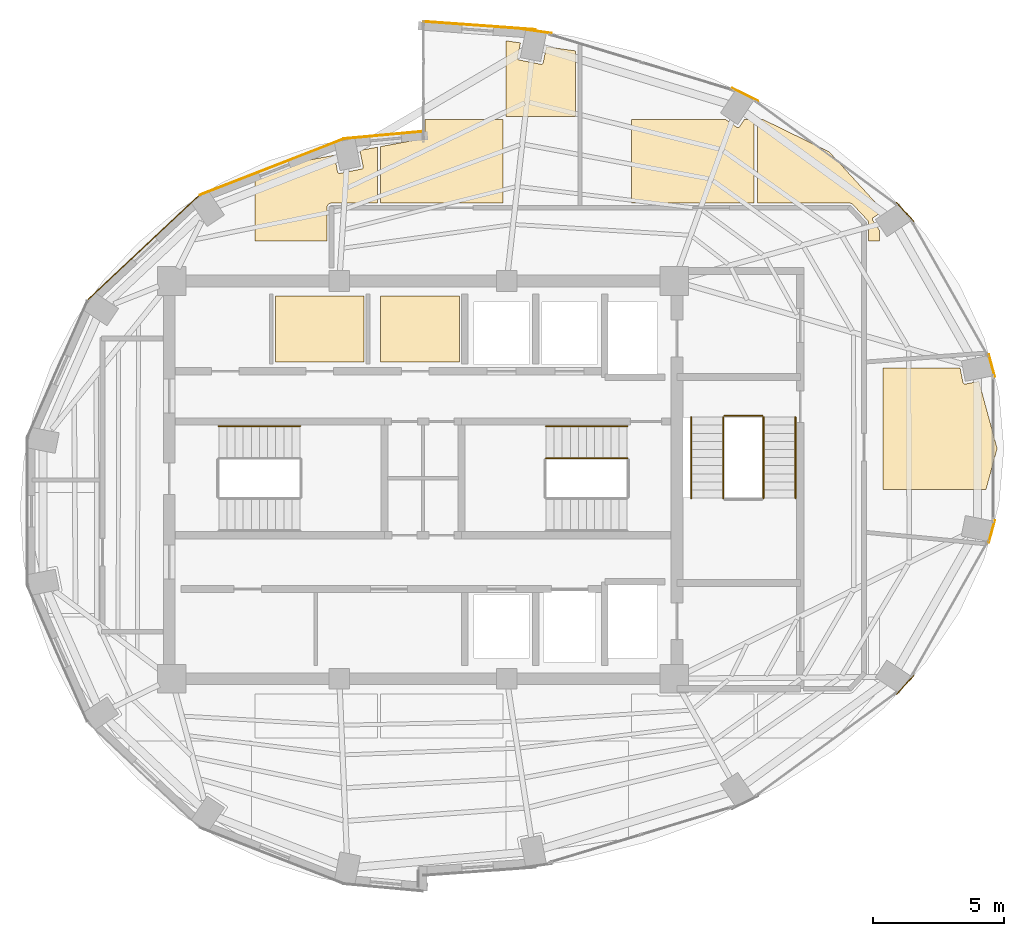
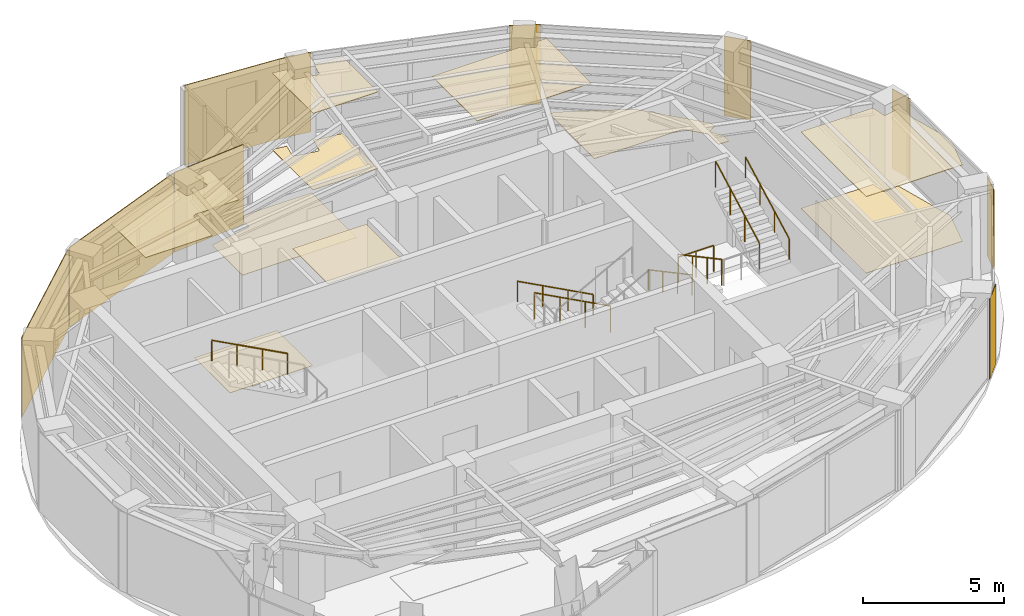
# One storey, part 15 of 15: 20 coverings, 8 railings.
"""IFC4 building model written with IfcOpenShell, lengths in metres."""

from ifc_helpers import new_model, si_unit, direction, frame, origin, origin_2d, place, context, subcontext, project, spatial, polyline, rectangle, circle, outline, extrude, material, layer, layer_set, type_object, element, save


model = new_model("IFC4")

# Units and contexts
model_context = context("Model", 3, precision=1e-05, world=origin(), true_north=direction((0.0, 1.0)))
body_context = subcontext(model_context, "Body", "Model", "MODEL_VIEW")
ifc_project = project(units=[si_unit("LENGTHUNIT", "METRE"), si_unit("AREAUNIT", "SQUARE_METRE"), si_unit("VOLUMEUNIT", "CUBIC_METRE"), si_unit("PLANEANGLEUNIT", "RADIAN"), si_unit("MASSUNIT", "GRAM", prefix="KILO")], contexts=[model_context])

# Site, building, storey
site_placement = place(None, origin())
site = spatial("IfcSite", under=ifc_project, at=site_placement, CompositionType="ELEMENT")
building_placement = place(site_placement, origin())
building = spatial("IfcBuilding", under=site, at=building_placement, Name="Lazwardi Medical Tower", CompositionType="ELEMENT")
storey_placement = place(building_placement, frame((0.0, 0.0, 280.56005859375)))
storey = spatial("IfcBuildingStorey", under=building, at=storey_placement, Name="L73", CompositionType="ELEMENT", Elevation=280.56005859375)

# Coverings
ifc_material_1 = material(Name="Anodised bronze aluminium cassette cladding", Category="aluminium")
ifc_layer_1 = layer(ifc_material_1, 0.030029296875)
ifc_layer_set_1 = layer_set([ifc_layer_1], Name="Anodised bronze aluminium cassette cladding")
covering_type_1 = type_object("IfcCoveringType", Name="COV-CLD-BRZ", PredefinedType="CLADDING", material=ifc_layer_set_1)
covering_1_placement = place(storey_placement, frame((54.42529296875, 20.165283203125, 0.0), z_axis=(0.0, 0.0, 1.0), x_axis=(0.673240970654, 0.739423150458, 0.0)))
element("IfcCovering", 1, at=covering_1_placement, inside=storey, type_object=covering_type_1, Name="L73 Mega-column bronze cassette cover M03", PredefinedType="CLADDING", context=body_context, shape_type="SweptSolid", body=[
    extrude(rectangle(XDim=0.98974609375, YDim=0.030029296875, at=origin_2d()), origin(), (0.0, 0.0, 1.0), 3.447998046875),
])
for number, where, z_axis, x_axis, name in (
    (2, (57.734130859375, 26.02734375, 0.0), (0.0, 0.0, 1.0), (0.261641748247, 0.96516506131, 0.0), "L73 Mega-column bronze cassette cover M04"),
    (3, (57.734130859375, 32.37255859375, 0.0), (0.0, 0.0, 1.0), (-0.261641748247, 0.96516506131, 0.0), "L73 Mega-column bronze cassette cover M05"),
):
    element("IfcCovering", number, at=place(storey_placement, frame(where, z_axis=z_axis, x_axis=x_axis)), inside=storey, type_object=covering_type_1, Name=name, PredefinedType="CLADDING", context=body_context, shape_type="SweptSolid", body=[
        extrude(rectangle(XDim=0.894287109375, YDim=0.030029296875, at=origin_2d()), origin(), (0.0, 0.0, 1.0), 3.447998046875),
    ])
covering_2_placement = place(storey_placement, frame((54.42529296875, 38.234619140625, 0.0), z_axis=(0.0, 0.0, 1.0), x_axis=(-0.673240970654, 0.739423150458, 0.0)))
element("IfcCovering", 4, at=covering_2_placement, inside=storey, type_object=covering_type_1, Name="L73 Mega-column bronze cassette cover M06", PredefinedType="CLADDING", context=body_context, shape_type="SweptSolid", body=[
    extrude(rectangle(XDim=0.98974609375, YDim=0.030029296875, at=origin_2d()), origin(), (0.0, 0.0, 1.0), 3.447998046875),
])
covering_3_placement = place(storey_placement, frame((48.311279296875, 42.721435546875, 0.0), z_axis=(0.0, 0.0, 1.0), x_axis=(-0.897840141691, 0.440321564278, 0.0)))
element("IfcCovering", 5, at=covering_3_placement, inside=storey, type_object=covering_type_1, Name="L73 Mega-column bronze cassette cover M07", PredefinedType="CLADDING", context=body_context, shape_type="SweptSolid", body=[
    extrude(rectangle(XDim=1.110595703125, YDim=0.030029296875, at=origin_2d()), origin(), (0.0, 0.0, 1.0), 3.447998046875),
])
covering_4_placement = place(storey_placement, frame((40.3232421875, 45.1494140625, 0.0), z_axis=(0.0, 0.0, 1.0), x_axis=(-0.989512431533, 0.144447733943, 0.0)))
element("IfcCovering", 6, at=covering_4_placement, inside=storey, type_object=covering_type_1, Name="L73 Mega-column bronze cassette cover M08", PredefinedType="CLADDING", context=body_context, shape_type="SweptSolid", body=[
    extrude(rectangle(XDim=1.188720703125, YDim=0.030029296875, at=origin_2d()), origin(), (0.0, 0.0, 1.0), 3.447998046875),
])
covering_5_placement = place(storey_placement, frame((25.31201171875, 36.870361328125, 0.0), z_axis=(0.0, 0.0, 1.0), x_axis=(-0.728254960063, -0.685306291481, 0.0)))
element("IfcCovering", 7, at=covering_5_placement, inside=storey, type_object=covering_type_1, Name="L73 West drum ceramic/bronze cladding", PredefinedType="CLADDING", context=body_context, shape_type="SweptSolid", body=[
    extrude(rectangle(XDim=5.78125, YDim=0.030029296875, at=origin_2d()), origin(), (0.0, 0.0, 1.0), 3.447998046875),
])
ifc_material_2 = material(Name="Turquoise glazed ceramic tilework cladding", Category="masonry")
ifc_layer_2 = layer(ifc_material_2, 0.034912109375)
ifc_layer_set_2 = layer_set([ifc_layer_2], Name="Turquoise glazed ceramic tilework cladding")
covering_type_2 = type_object("IfcCoveringType", Name="COV-CLD-TRQ", PredefinedType="CLADDING", material=ifc_layer_set_2)
covering_6_placement = place(storey_placement, frame((30.216064453125, 39.956787109375, 0.0), z_axis=(0.0, 0.0, 1.0), x_axis=(-0.931720388261, -0.363176428337, 0.0)))
element("IfcCovering", 8, at=covering_6_placement, inside=storey, type_object=covering_type_2, Name="L73 West drum ceramic/bronze cladding", PredefinedType="CLADDING", context=body_context, shape_type="SweptSolid", body=[
    extrude(rectangle(XDim=5.904052734375, YDim=0.034912109375, at=origin_2d()), origin(), (0.0, 0.0, 1.0), 3.447998046875),
])
covering_7_placement = place(storey_placement, frame((38.16259765625, 45.360107421875, 0.0), z_axis=(0.0, 0.0, 1.0), x_axis=(-0.997409491337, 0.071932653157, 0.0)))
element("IfcCovering", 9, at=covering_7_placement, inside=storey, type_object=covering_type_2, Name="L73 Turquoise glazed ceramic tilework cladding", PredefinedType="CLADDING", context=body_context, shape_type="SweptSolid", body=[
    extrude(rectangle(XDim=4.31103515625, YDim=0.034912109375, at=origin_2d()), origin(), (0.0, 0.0, 1.0), 3.447998046875),
])
covering_8_placement = place(storey_placement, frame((34.4970703125, 41.177001953125, 0.0), z_axis=(0.0, 0.0, 1.0), x_axis=(-0.995733560537, -0.092275004312, 0.0)))
element("IfcCovering", 10, at=covering_8_placement, inside=storey, type_object=covering_type_2, Name="L73 Turquoise glazed ceramic tilework cladding", PredefinedType="CLADDING", context=body_context, shape_type="SweptSolid", body=[
    extrude(rectangle(XDim=2.985595703125, YDim=0.034912109375, at=origin_2d()), origin(), (0.0, 0.0, 1.0), 3.447998046875),
])
ifc_material_3 = material(Name="Acoustic mineral fibre tile")
ifc_layer_3 = layer(ifc_material_3, 0.02490234375)
ifc_layer_set_3 = layer_set([ifc_layer_3], Name="Acoustic mineral fibre tile")
covering_type_3 = type_object("IfcCoveringType", Name="COV-CLG-01", PredefinedType="CEILING", material=ifc_layer_set_3)
covering_9_placement = place(storey_placement, frame((0.0, 0.0, 3.302978515625)))
element("IfcCovering", 11, at=covering_9_placement, inside=storey, type_object=covering_type_3, Name="L73 Clinical Acoustic Ceiling 3", PredefinedType="CEILING", context=body_context, shape_type="SweptSolid", body=[
    extrude(outline(polyline([(34.251708984375, 40.71142578125), (33.591552734375, 40.587890625), (33.71435546875, 39.971435546875), (33.71533203125, 39.963623046875), (33.7158203125, 39.955810546875), (33.71533203125, 39.947998046875), (33.71435546875, 39.940185546875), (33.71240234375, 39.9326171875), (33.709716796875, 39.92529296875), (33.706298828125, 39.918212890625), (33.702392578125, 39.911376953125), (33.697509765625, 39.905029296875), (33.6923828125, 39.899169921875), (33.6865234375, 39.89404296875), (33.68017578125, 39.889404296875), (33.673583984375, 39.88525390625), (33.66650390625, 39.8818359375), (33.658935546875, 39.879150390625), (33.6513671875, 39.877197265625), (32.82763671875, 39.71337890625), (32.81982421875, 39.71240234375), (32.81201171875, 39.7119140625), (32.80419921875, 39.71240234375), (32.79638671875, 39.71337890625), (32.788818359375, 39.71533203125), (32.781494140625, 39.718017578125), (32.7744140625, 39.72119140625), (32.767578125, 39.725341796875), (32.76123046875, 39.72998046875), (32.75537109375, 39.7353515625), (32.750244140625, 39.7412109375), (32.74560546875, 39.74755859375), (32.741455078125, 39.754150390625), (32.738037109375, 39.76123046875), (32.7353515625, 39.768798828125), (32.7333984375, 39.7763671875), (32.608642578125, 40.40380859375), (30.205322265625, 39.9541015625), (29.57177734375, 39.555908203125), (29.57177734375, 37.136474609375), (32.324951171875, 37.136474609375), (32.324951171875, 38.39990234375), (32.3251953125, 38.404296875), (32.32568359375, 38.41357421875), (32.326416015625, 38.42041015625), (32.32763671875, 38.4296875), (32.3291015625, 38.43798828125), (32.33154296875, 38.447265625), (32.33349609375, 38.4541015625), (32.336669921875, 38.462890625), (32.340087890625, 38.470703125), (32.343994140625, 38.479248046875), (32.34765625, 38.486083984375), (32.352294921875, 38.493896484375), (32.35693359375, 38.500732421875), (32.362548828125, 38.50830078125), (32.3671875, 38.513916015625), (32.373291015625, 38.520751953125), (32.37939453125, 38.526611328125), (32.38623046875, 38.532958984375), (32.391845703125, 38.53759765625), (32.3994140625, 38.543212890625), (32.406005859375, 38.547607421875), (32.4140625, 38.552490234375), (32.4208984375, 38.555908203125), (32.42919921875, 38.56005859375), (32.43701171875, 38.563232421875), (32.44580078125, 38.56640625), (32.452880859375, 38.568603515625), (32.4619140625, 38.57080078125), (32.47021484375, 38.572509765625), (32.4794921875, 38.57373046875), (32.486328125, 38.574462890625), (32.49560546875, 38.574951171875), (32.5, 38.574951171875), (34.251708984375, 38.574951171875), (34.251708984375, 40.71142578125)])), origin(), (0.0, 0.0, 1.0), 0.02490234375),
])
covering_10_placement = place(storey_placement, frame((0.0, 0.0, 3.302978515625)))
element("IfcCovering", 12, at=covering_10_placement, inside=storey, type_object=covering_type_3, Name="L73 Clinical Acoustic Ceiling 5", PredefinedType="CEILING", context=body_context, shape_type="SweptSolid", body=[
    extrude(outline(polyline([(34.371826171875, 32.5), (37.389892578125, 32.5), (37.389892578125, 35.02001953125), (34.371826171875, 35.02001953125), (34.371826171875, 32.5)])), origin(), (0.0, 0.0, 1.0), 0.02490234375),
])
covering_11_placement = place(storey_placement, frame((0.0, 0.0, 3.302978515625)))
element("IfcCovering", 13, at=covering_11_placement, inside=storey, type_object=covering_type_3, Name="L73 Clinical Acoustic Ceiling 7", PredefinedType="CEILING", context=body_context, shape_type="SweptSolid", body=[
    extrude(outline(polyline([(41.8349609375, 41.886474609375), (41.8349609375, 44.389404296875), (40.714599609375, 44.552490234375), (40.59326171875, 43.941650390625), (40.59130859375, 43.93408203125), (40.588623046875, 43.9267578125), (40.585205078125, 43.919677734375), (40.581298828125, 43.912841796875), (40.576416015625, 43.906494140625), (40.5712890625, 43.900634765625), (40.5654296875, 43.8955078125), (40.55908203125, 43.890869140625), (40.552490234375, 43.88671875), (40.54541015625, 43.88330078125), (40.537841796875, 43.880615234375), (40.5302734375, 43.87890625), (40.5224609375, 43.877685546875), (40.5146484375, 43.877197265625), (40.5068359375, 43.877685546875), (40.4990234375, 43.87890625), (39.67529296875, 44.042724609375), (39.667724609375, 44.044677734375), (39.660400390625, 44.04736328125), (39.6533203125, 44.050537109375), (39.646484375, 44.0546875), (39.64013671875, 44.059326171875), (39.63427734375, 44.064697265625), (39.629150390625, 44.0703125), (39.62451171875, 44.076904296875), (39.620361328125, 44.08349609375), (39.616943359375, 44.090576171875), (39.6142578125, 44.097900390625), (39.6123046875, 44.105712890625), (39.611328125, 44.11328125), (39.61083984375, 44.12109375), (39.611328125, 44.12890625), (39.6123046875, 44.13671875), (39.723876953125, 44.697021484375), (39.171875, 44.77734375), (39.171875, 41.886474609375), (41.8349609375, 41.886474609375)])), origin(), (0.0, 0.0, 1.0), 0.02490234375),
])
covering_12_placement = place(storey_placement, frame((0.0, 0.0, 3.302978515625)))
element("IfcCovering", 14, at=covering_12_placement, inside=storey, type_object=covering_type_3, Name="L73 Clinical Acoustic Ceiling 8", PredefinedType="CEILING", context=body_context, shape_type="SweptSolid", body=[
    extrude(outline(polyline([(48.275634765625, 41.766357421875), (48.099365234375, 41.50244140625), (48.094482421875, 41.49609375), (48.08935546875, 41.490234375), (48.08349609375, 41.485107421875), (48.0771484375, 41.480224609375), (48.070556640625, 41.476318359375), (48.0634765625, 41.472900390625), (48.055908203125, 41.47021484375), (48.04833984375, 41.46826171875), (48.04052734375, 41.46728515625), (48.03271484375, 41.466796875), (48.02490234375, 41.46728515625), (48.01708984375, 41.46826171875), (48.009521484375, 41.47021484375), (48.002197265625, 41.472900390625), (47.9951171875, 41.476318359375), (47.98828125, 41.480224609375), (47.560302734375, 41.766357421875), (43.9716796875, 41.766357421875), (43.9716796875, 38.574951171875), (48.65185546875, 38.574951171875), (48.65185546875, 41.766357421875), (48.275634765625, 41.766357421875)])), origin(), (0.0, 0.0, 1.0), 0.02490234375),
])
covering_13_placement = place(storey_placement, frame((0.0, 0.0, 3.302978515625)))
element("IfcCovering", 15, at=covering_13_placement, inside=storey, type_object=covering_type_3, Name="L73 Clinical Acoustic Ceiling 10", PredefinedType="CEILING", context=body_context, shape_type="SweptSolid", body=[
    extrude(outline(polyline([(57.51220703125, 27.636474609375), (57.93701171875, 29.199951171875), (57.240478515625, 31.76416015625), (56.723388671875, 31.661376953125), (56.7158203125, 31.66015625), (56.7080078125, 31.659912109375), (56.7001953125, 31.66015625), (56.6923828125, 31.661376953125), (56.684814453125, 31.6630859375), (56.67724609375, 31.666015625), (56.670166015625, 31.669189453125), (56.66357421875, 31.67333984375), (56.656982421875, 31.677978515625), (56.6513671875, 31.68310546875), (56.64599609375, 31.68896484375), (56.641357421875, 31.6953125), (56.63720703125, 31.7021484375), (56.634033203125, 31.709228515625), (56.63134765625, 31.716552734375), (56.62939453125, 31.72412109375), (56.521484375, 32.266357421875), (53.57177734375, 32.266357421875), (53.57177734375, 27.636474609375), (57.51220703125, 27.636474609375)])), origin(), (0.0, 0.0, 1.0), 0.02490234375),
])
ifc_material_4 = material(Name="Anti-static hospital vinyl sheet flooring")
ifc_layer_4 = layer(ifc_material_4, 0.014892578125)
ifc_layer_set_4 = layer_set([ifc_layer_4], Name="Anti-static hospital vinyl sheet flooring")
covering_type_4 = type_object("IfcCoveringType", Name="COV-FLR-01", PredefinedType="FLOORING", material=ifc_layer_set_4)
covering_14_placement = place(storey_placement, origin())
element("IfcCovering", 16, at=covering_14_placement, inside=storey, type_object=covering_type_4, Name="L73 Clinical Vinyl Flooring 4", PredefinedType="FLOORING", context=body_context, shape_type="SweptSolid", body=[
    extrude(outline(polyline([(33.739990234375, 32.5), (33.739990234375, 35.02001953125), (30.360107421875, 35.02001953125), (30.360107421875, 32.5), (33.739990234375, 32.5)])), origin(), (0.0, 0.0, 1.0), 0.014892578125),
])
covering_15_placement = place(storey_placement, origin())
element("IfcCovering", 17, at=covering_15_placement, inside=storey, type_object=covering_type_4, Name="L73 Clinical Vinyl Flooring 5", PredefinedType="FLOORING", context=body_context, shape_type="SweptSolid", body=[
    extrude(outline(polyline([(36.080078125, 41.766357421875), (36.080078125, 41.1201171875), (36.07958984375, 41.112060546875), (36.078369140625, 41.104248046875), (36.076416015625, 41.0966796875), (36.07373046875, 41.089111328125), (36.0703125, 41.08203125), (36.06640625, 41.0751953125), (36.0615234375, 41.06884765625), (36.05615234375, 41.06298828125), (36.05029296875, 41.057861328125), (36.0439453125, 41.052978515625), (36.037109375, 41.049072265625), (36.02978515625, 41.0458984375), (36.0224609375, 41.043212890625), (36.0146484375, 41.04150390625), (34.371826171875, 40.73388671875), (34.371826171875, 38.574951171875), (39.0517578125, 38.574951171875), (39.0517578125, 41.766357421875), (36.080078125, 41.766357421875)])), origin(), (0.0, 0.0, 1.0), 0.014892578125),
])
covering_16_placement = place(storey_placement, origin())
element("IfcCovering", 18, at=covering_16_placement, inside=storey, type_object=covering_type_4, Name="L73 Clinical Vinyl Flooring 7", PredefinedType="FLOORING", context=body_context, shape_type="SweptSolid", body=[
    extrude(outline(polyline([(41.8349609375, 41.886474609375), (41.8349609375, 44.389404296875), (40.714599609375, 44.552490234375), (40.59326171875, 43.941650390625), (40.59130859375, 43.93408203125), (40.588623046875, 43.9267578125), (40.585205078125, 43.919677734375), (40.581298828125, 43.912841796875), (40.576416015625, 43.906494140625), (40.5712890625, 43.900634765625), (40.5654296875, 43.8955078125), (40.55908203125, 43.890869140625), (40.552490234375, 43.88671875), (40.54541015625, 43.88330078125), (40.537841796875, 43.880615234375), (40.5302734375, 43.87890625), (40.5224609375, 43.877685546875), (40.5146484375, 43.877197265625), (40.5068359375, 43.877685546875), (40.4990234375, 43.87890625), (39.67529296875, 44.042724609375), (39.667724609375, 44.044677734375), (39.660400390625, 44.04736328125), (39.6533203125, 44.050537109375), (39.646484375, 44.0546875), (39.64013671875, 44.059326171875), (39.63427734375, 44.064697265625), (39.629150390625, 44.0703125), (39.62451171875, 44.076904296875), (39.620361328125, 44.08349609375), (39.616943359375, 44.090576171875), (39.6142578125, 44.097900390625), (39.6123046875, 44.105712890625), (39.611328125, 44.11328125), (39.61083984375, 44.12109375), (39.611328125, 44.12890625), (39.6123046875, 44.13671875), (39.723876953125, 44.697021484375), (39.171875, 44.77734375), (39.171875, 41.886474609375), (41.8349609375, 41.886474609375)])), origin(), (0.0, 0.0, 1.0), 0.014892578125),
])
covering_17_placement = place(storey_placement, origin())
element("IfcCovering", 19, at=covering_17_placement, inside=storey, type_object=covering_type_4, Name="L73 Clinical Vinyl Flooring 9", PredefinedType="FLOORING", context=body_context, shape_type="SweptSolid", body=[
    extrude(outline(polyline([(53.451904296875, 37.5126953125), (53.185791015625, 37.91064453125), (53.181884765625, 37.917236328125), (53.178466796875, 37.92431640625), (53.17578125, 37.931884765625), (53.173828125, 37.939453125), (53.1728515625, 37.947265625), (53.17236328125, 37.955078125), (53.1728515625, 37.962890625), (53.173828125, 37.970703125), (53.17578125, 37.978271484375), (53.178466796875, 37.985595703125), (53.181884765625, 37.99267578125), (53.185791015625, 37.99951171875), (53.190673828125, 38.005859375), (53.19580078125, 38.01171875), (53.20166015625, 38.016845703125), (53.2080078125, 38.021484375), (53.451904296875, 38.184326171875), (53.451904296875, 38.418701171875), (51.521728515625, 40.533447265625), (49.0009765625, 41.766357421875), (48.771728515625, 41.766357421875), (48.771728515625, 38.574951171875), (52.299072265625, 38.574951171875), (52.30322265625, 38.574951171875), (52.31298828125, 38.574462890625), (52.3212890625, 38.573486328125), (52.330810546875, 38.572021484375), (52.339111328125, 38.5703125), (52.348388671875, 38.56787109375), (52.355712890625, 38.5654296875), (52.364990234375, 38.56201171875), (52.372314453125, 38.558837890625), (52.381103515625, 38.554443359375), (52.38818359375, 38.550537109375), (52.396484375, 38.54541015625), (52.403564453125, 38.540283203125), (52.4111328125, 38.534423828125), (52.417236328125, 38.529052734375), (52.42431640625, 38.522216796875), (52.427001953125, 38.519287109375), (52.977783203125, 37.929443359375), (52.980224609375, 37.9267578125), (52.986083984375, 37.919921875), (52.99072265625, 37.913818359375), (52.995849609375, 37.906494140625), (52.999755859375, 37.900390625), (53.004150390625, 37.892822265625), (53.007568359375, 37.885986328125), (53.01123046875, 37.877685546875), (53.013916015625, 37.87109375), (53.016845703125, 37.862548828125), (53.019287109375, 37.8544921875), (53.021240234375, 37.845703125), (53.0224609375, 37.839599609375), (53.023681640625, 37.830810546875), (53.0244140625, 37.822509765625), (53.02490234375, 37.813720703125), (53.02490234375, 37.81005859375), (53.02490234375, 37.136474609375), (53.451904296875, 37.136474609375), (53.451904296875, 37.5126953125)])), origin(), (0.0, 0.0, 1.0), 0.014892578125),
])
covering_18_placement = place(storey_placement, origin())
element("IfcCovering", 20, at=covering_18_placement, inside=storey, type_object=covering_type_4, Name="L73 Clinical Vinyl Flooring 10", PredefinedType="FLOORING", context=body_context, shape_type="SweptSolid", body=[
    extrude(outline(polyline([(57.51220703125, 27.636474609375), (57.93701171875, 29.199951171875), (57.240478515625, 31.76416015625), (56.723388671875, 31.661376953125), (56.7158203125, 31.66015625), (56.7080078125, 31.659912109375), (56.7001953125, 31.66015625), (56.6923828125, 31.661376953125), (56.684814453125, 31.6630859375), (56.67724609375, 31.666015625), (56.670166015625, 31.669189453125), (56.66357421875, 31.67333984375), (56.656982421875, 31.677978515625), (56.6513671875, 31.68310546875), (56.64599609375, 31.68896484375), (56.641357421875, 31.6953125), (56.63720703125, 31.7021484375), (56.634033203125, 31.709228515625), (56.63134765625, 31.716552734375), (56.62939453125, 31.72412109375), (56.521484375, 32.266357421875), (53.57177734375, 32.266357421875), (53.57177734375, 27.636474609375), (57.51220703125, 27.636474609375)])), origin(), (0.0, 0.0, 1.0), 0.014892578125),
])

# Railings
ifc_material_5 = material(Name="Stainless steel Grade 316", Category="steel")
railing_type_1 = type_object("IfcRailingType", Name="RLG-GRD-1150", PredefinedType="GUARDRAIL", material=ifc_material_5)
railing_1_placement = place(storey_placement, frame((43.800048828125, 28.830078125, 0.165771484375)))
element("IfcRailing", 21, at=railing_1_placement, inside=storey, type_object=railing_type_1, Name="L73 ST2 stair guard 1", PredefinedType="GUARDRAIL", context=body_context, shape_type="SweptSolid", body=[
    extrude(circle(Radius=0.02392578125, at=origin_2d()), frame((0.0, 0.0, 1.1259765625), z_axis=(-0.881783298633, 0.0, 0.471654761719), x_axis=(0.0, -1.0, 0.0)), (0.0, 0.0, 1.0), 3.515625),
    extrude(circle(Radius=0.02099609375, at=origin_2d()), origin(), (0.0, 0.0, 1.0), 1.099853515625),
    extrude(circle(Radius=0.02099609375, at=origin_2d()), frame((-1.033447265625, 0.0, 0.552734375)), (0.0, 0.0, 1.0), 1.099853515625),
    extrude(circle(Radius=0.02099609375, at=origin_2d()), frame((-2.066650390625, 0.0, 1.10546875)), (0.0, 0.0, 1.0), 1.099853515625),
    extrude(circle(Radius=0.02099609375, at=origin_2d()), frame((-3.10009765625, 0.0, 1.658203125)), (0.0, 0.0, 1.0), 1.099853515625),
])
railing_2_placement = place(storey_placement, frame((47.469970703125, 30.39990234375, 0.165771484375)))
element("IfcRailing", 22, at=railing_2_placement, inside=storey, type_object=railing_type_1, Name="L73 ST3 stair guard 1", PredefinedType="GUARDRAIL", context=body_context, shape_type="SweptSolid", body=[
    extrude(circle(Radius=0.02392578125, at=origin_2d()), frame((0.0, 0.0, 1.1259765625), z_axis=(0.0, -0.881767849116, 0.471683644262), x_axis=(1.0, 0.0, 0.0)), (0.0, 0.0, 1.0), 3.515380859375),
    extrude(circle(Radius=0.02099609375, at=origin_2d()), origin(), (0.0, 0.0, 1.0), 1.099853515625),
    extrude(circle(Radius=0.02099609375, at=origin_2d()), frame((0.0, -1.033203125, 0.552734375)), (0.0, 0.0, 1.0), 1.099853515625),
    extrude(circle(Radius=0.02099609375, at=origin_2d()), frame((0.0, -2.066650390625, 1.10546875)), (0.0, 0.0, 1.0), 1.099853515625),
    extrude(circle(Radius=0.02099609375, at=origin_2d()), frame((0.0, -3.099853515625, 1.658203125)), (0.0, 0.0, 1.0), 1.099853515625),
])
railing_3_placement = place(storey_placement, frame((49.010009765625, 27.300048828125, 1.98974609375)))
element("IfcRailing", 23, at=railing_3_placement, inside=storey, type_object=railing_type_1, Name="L73 ST3 stair guard 3", PredefinedType="GUARDRAIL", context=body_context, shape_type="SweptSolid", body=[
    extrude(circle(Radius=0.02392578125, at=origin_2d()), frame((0.0, 0.0, 1.1259765625), z_axis=(0.0, 0.881767849116, 0.471683644262), x_axis=(-1.0, 0.0, 0.0)), (0.0, 0.0, 1.0), 3.515380859375),
    extrude(circle(Radius=0.02099609375, at=origin_2d()), origin(), (0.0, 0.0, 1.0), 1.099853515625),
    extrude(circle(Radius=0.02099609375, at=origin_2d()), frame((0.0, 1.033203125, 0.552734375)), (0.0, 0.0, 1.0), 1.099853515625),
    extrude(circle(Radius=0.02099609375, at=origin_2d()), frame((0.0, 2.066650390625, 1.10546875)), (0.0, 0.0, 1.0), 1.099853515625),
    extrude(circle(Radius=0.02099609375, at=origin_2d()), frame((0.0, 3.099853515625, 1.658203125)), (0.0, 0.0, 1.0), 1.099853515625),
])
railing_4_placement = place(storey_placement, frame((47.52001953125, 30.449951171875, 0.0)))
element("IfcRailing", 24, at=railing_4_placement, inside=storey, type_object=railing_type_1, Name="L73 ST3 stair guard 4", PredefinedType="GUARDRAIL", context=body_context, shape_type="SweptSolid", body=[
    extrude(circle(Radius=0.02392578125, at=origin_2d()), frame((0.0, 0.0, 1.1259765625), z_axis=(1.0, 0.0, 0.0), x_axis=(0.0, 1.0, 0.0)), (0.0, 0.0, 1.0), 1.43994140625),
    extrude(circle(Radius=0.02099609375, at=origin_2d()), origin(), (0.0, 0.0, 1.0), 1.099853515625),
    extrude(circle(Radius=0.02099609375, at=origin_2d()), frame((0.719970703125, 0.0, 0.0)), (0.0, 0.0, 1.0), 1.099853515625),
    extrude(circle(Radius=0.02099609375, at=origin_2d()), frame((1.43994140625, 0.0, 0.0)), (0.0, 0.0, 1.0), 1.099853515625),
])
railing_type_2 = type_object("IfcRailingType", Name="RLG-HND-920", PredefinedType="HANDRAIL", material=ifc_material_5)
for number, where, name in (
    (25, (31.300048828125, 30.050048828125, 1.98974609375), "L73 ST1 stair handrail 2"),
    (26, (43.800048828125, 30.050048828125, 0.165771484375), "L73 ST2 stair handrail 1"),
):
    element("IfcRailing", number, at=place(storey_placement, frame(where)), inside=storey, type_object=railing_type_2, Name=name, PredefinedType="HANDRAIL", context=body_context, shape_type="SweptSolid", body=[
        extrude(circle(Radius=0.02392578125, at=origin_2d()), frame((0.0, 0.0, 0.8857421875), z_axis=(-0.881783298633, 0.0, 0.471654761719), x_axis=(0.0, -1.0, 0.0)), (0.0, 0.0, 1.0), 3.515625),
        extrude(circle(Radius=0.02099609375, at=origin_2d()), origin(), (0.0, 0.0, 1.0), 0.85986328125),
        extrude(circle(Radius=0.02099609375, at=origin_2d()), frame((-1.033447265625, 0.0, 0.552734375)), (0.0, 0.0, 1.0), 0.85986328125),
        extrude(circle(Radius=0.02099609375, at=origin_2d()), frame((-2.066650390625, 0.0, 1.10546875)), (0.0, 0.0, 1.0), 0.85986328125),
        extrude(circle(Radius=0.02099609375, at=origin_2d()), frame((-3.10009765625, 0.0, 1.658203125)), (0.0, 0.0, 1.0), 0.85986328125),
    ])
railing_5_placement = place(storey_placement, frame((46.25, 30.39990234375, 0.165771484375)))
element("IfcRailing", 27, at=railing_5_placement, inside=storey, type_object=railing_type_2, Name="L73 ST3 stair handrail 1", PredefinedType="HANDRAIL", context=body_context, shape_type="SweptSolid", body=[
    extrude(circle(Radius=0.02392578125, at=origin_2d()), frame((0.0, 0.0, 0.8857421875), z_axis=(0.0, -0.881767849116, 0.471683644262), x_axis=(1.0, 0.0, 0.0)), (0.0, 0.0, 1.0), 3.515380859375),
    extrude(circle(Radius=0.02099609375, at=origin_2d()), origin(), (0.0, 0.0, 1.0), 0.85986328125),
    extrude(circle(Radius=0.02099609375, at=origin_2d()), frame((0.0, -1.033203125, 0.552734375)), (0.0, 0.0, 1.0), 0.85986328125),
    extrude(circle(Radius=0.02099609375, at=origin_2d()), frame((0.0, -2.066650390625, 1.10546875)), (0.0, 0.0, 1.0), 0.85986328125),
    extrude(circle(Radius=0.02099609375, at=origin_2d()), frame((0.0, -3.099853515625, 1.658203125)), (0.0, 0.0, 1.0), 0.85986328125),
])
railing_6_placement = place(storey_placement, frame((50.22998046875, 27.300048828125, 1.98974609375)))
element("IfcRailing", 28, at=railing_6_placement, inside=storey, type_object=railing_type_2, Name="L73 ST3 stair handrail 2", PredefinedType="HANDRAIL", context=body_context, shape_type="SweptSolid", body=[
    extrude(circle(Radius=0.02392578125, at=origin_2d()), frame((0.0, 0.0, 0.8857421875), z_axis=(0.0, 0.881767849116, 0.471683644262), x_axis=(-1.0, 0.0, 0.0)), (0.0, 0.0, 1.0), 3.515380859375),
    extrude(circle(Radius=0.02099609375, at=origin_2d()), origin(), (0.0, 0.0, 1.0), 0.85986328125),
    extrude(circle(Radius=0.02099609375, at=origin_2d()), frame((0.0, 1.033203125, 0.552734375)), (0.0, 0.0, 1.0), 0.85986328125),
    extrude(circle(Radius=0.02099609375, at=origin_2d()), frame((0.0, 2.066650390625, 1.10546875)), (0.0, 0.0, 1.0), 0.85986328125),
    extrude(circle(Radius=0.02099609375, at=origin_2d()), frame((0.0, 3.099853515625, 1.658203125)), (0.0, 0.0, 1.0), 0.85986328125),
])

save(model, "model.ifc")
